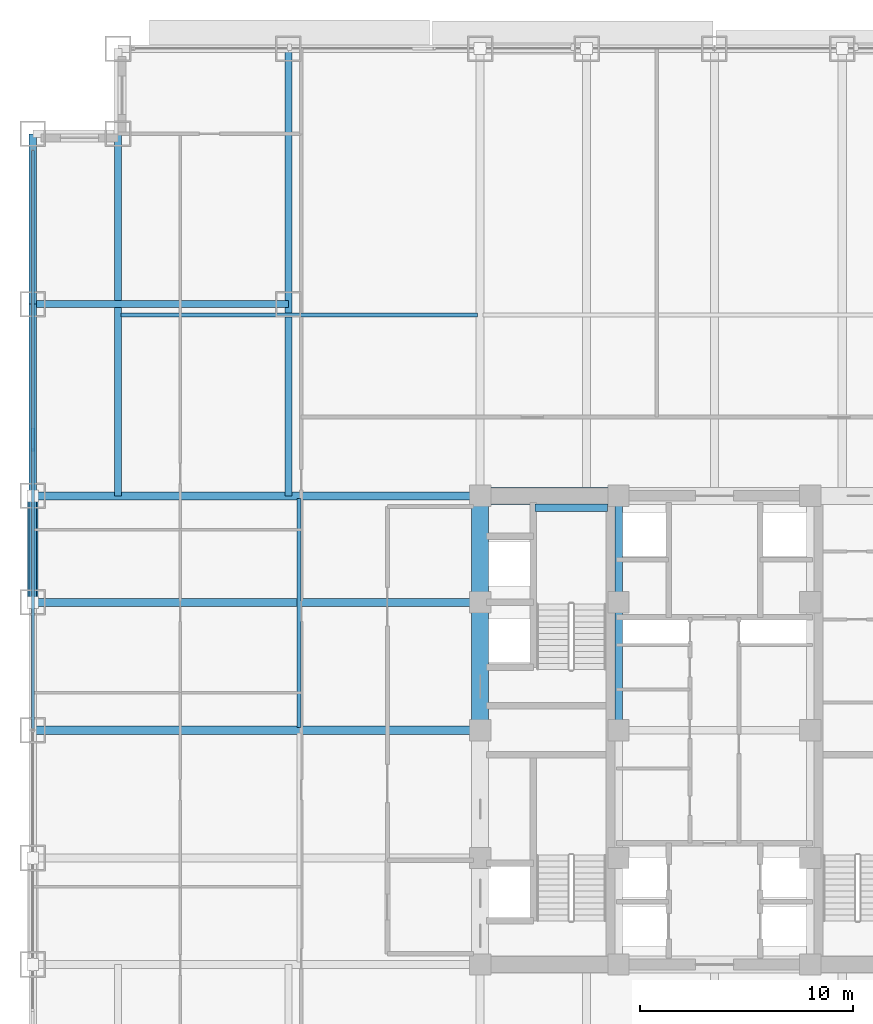
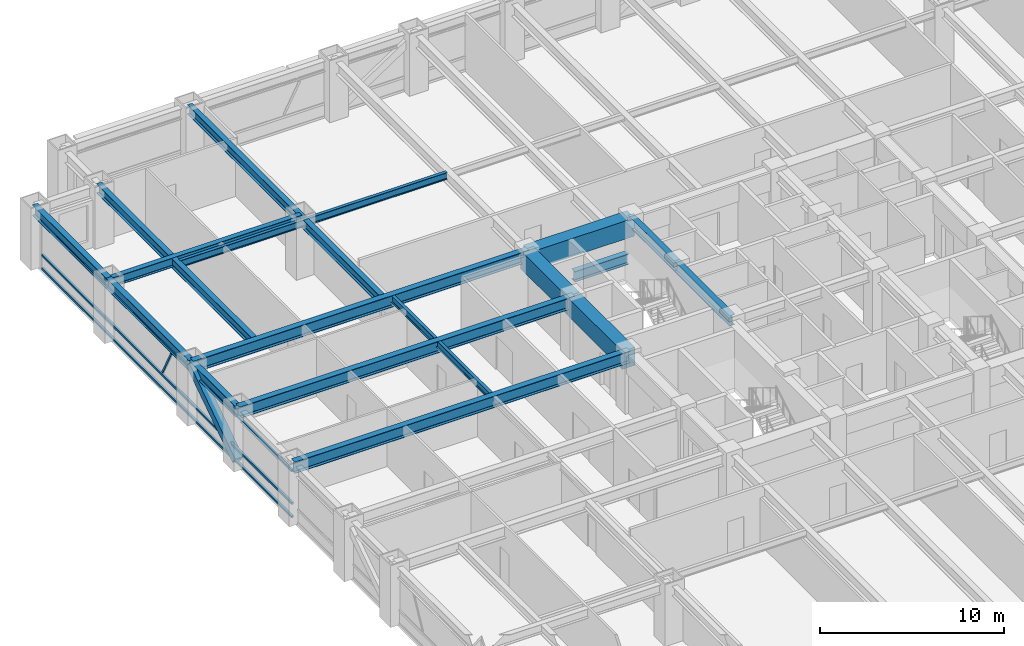
# One storey, part 9 of 32: 17 beams, 5 members, 1 element without a shape of its own.
"""IFC4 building model written with IfcOpenShell, lengths in metres."""

from ifc_helpers import new_model, si_unit, direction, frame, origin, origin_2d, place, context, subcontext, project, spatial, rectangle, hollow_rectangle, i_section, extrude, source, transform, mapped, material, material_profile, profile_set, type_object, element, aggregate, save


model = new_model("IFC4")

# Units and contexts
model_context = context("Model", 3, precision=1e-05, world=origin(), true_north=direction((0.0, 1.0)))
body_context = subcontext(model_context, "Body", "Model", "MODEL_VIEW")
ifc_project = project(units=[si_unit("LENGTHUNIT", "METRE"), si_unit("AREAUNIT", "SQUARE_METRE"), si_unit("VOLUMEUNIT", "CUBIC_METRE"), si_unit("PLANEANGLEUNIT", "RADIAN"), si_unit("MASSUNIT", "GRAM", prefix="KILO")], contexts=[model_context])

# Site, building, storey
site_placement = place(None, origin())
site = spatial("IfcSite", under=ifc_project, at=site_placement, CompositionType="ELEMENT")
building_placement = place(site_placement, origin())
building = spatial("IfcBuilding", under=site, at=building_placement, Name="Khorayat Bourse Tower", CompositionType="ELEMENT")
storey_placement = place(building_placement, frame((0.0, 0.0, 136.5)))
storey = spatial("IfcBuildingStorey", under=building, at=storey_placement, Name="L31", CompositionType="ELEMENT", Elevation=136.5)

# Beams
ifc_material_1 = material(Name="Concrete C72/90", Category="concrete")
ifc_material_profile_1 = material_profile(ifc_material_1, rectangle(XDim=0.800048828125, YDim=1.199951171875, at=origin_2d()), Name="RC 800x1200")
ifc_profile_set_1 = profile_set([ifc_material_profile_1], Name="Concrete C72/90")
beam_type_1 = type_object("IfcBeamType", Name="BM-COUP-1200", PredefinedType="BEAM", material=ifc_profile_set_1)
shared_shape_1 = source(origin(), body_context, "Body", "SweptSolid", [
    extrude(rectangle(XDim=0.800048828125, YDim=1.199951171875, at=origin_2d()), origin(), (0.0, 0.0, 1.0), 5.0),
])
beam_1_placement = place(storey_placement, frame((-11.0, 6.0, 3.239990234375), z_axis=(0.0, 1.0, 0.0), x_axis=(-1.0, 0.0, 0.0)))
element("IfcBeam", 1, at=beam_1_placement, inside=storey, type_object=beam_type_1, Name="L31 BM-COUP-1200 BM-L31-CRX-04", PredefinedType="BEAM", context=body_context, shape_type="MappedRepresentation", body=[
    mapped(shared_shape_1, transform((0.0, 0.0, 0.0), scale=1.0)),
])
shared_shape_2 = source(origin(), body_context, "Body", "SweptSolid", [
    extrude(rectangle(XDim=0.800048828125, YDim=1.199951171875, at=origin_2d()), origin(), (0.0, 0.0, 1.0), 6.0),
])
beam_2_placement = place(storey_placement, frame((-11.0, 0.0, 3.239990234375), z_axis=(0.0, 1.0, 0.0), x_axis=(-1.0, 0.0, 0.0)))
element("IfcBeam", 2, at=beam_2_placement, inside=storey, type_object=beam_type_1, Name="L31 BM-COUP-1200 BM-L31-CRX-03", PredefinedType="BEAM", context=body_context, shape_type="MappedRepresentation", body=[
    mapped(shared_shape_2, transform((0.0, 0.0, 0.0), scale=1.0)),
])
ifc_material_2 = material(Name="Steel ASTM A992 Grade 50", Category="steel")
ifc_material_profile_2 = material_profile(ifc_material_2, i_section(OverallWidth=0.35498046875, OverallDepth=0.695068359375, WebThickness=0.015380859375, FlangeThickness=0.02490234375, FilletRadius=0.01806640625, at=origin_2d()), Name="W690X217")
ifc_profile_set_2 = profile_set([ifc_material_profile_2], Name="Steel ASTM A992 Grade 50")
beam_type_2 = type_object("IfcBeamType", Name="BM-GIRD-690", PredefinedType="BEAM", material=ifc_profile_set_2)
shared_shape_3 = source(origin(), body_context, "Body", "SweptSolid", [
    extrude(i_section(OverallWidth=0.35498046875, OverallDepth=0.695068359375, WebThickness=0.015380859375, FlangeThickness=0.02490234375, FilletRadius=0.01806640625, at=origin_2d()), origin(), (0.0, 0.0, 1.0), 5.0),
])
beam_3_placement = place(storey_placement, frame((-4.5, 6.0, 3.492431640625), z_axis=(0.0, 1.0, 0.0), x_axis=(-1.0, 0.0, 0.0)))
element("IfcBeam", 3, at=beam_3_placement, inside=storey, type_object=beam_type_2, Name="L31 BM-GIRD-690 BM-L31-CRX-08", PredefinedType="BEAM", context=body_context, shape_type="MappedRepresentation", body=[
    mapped(shared_shape_3, transform((0.0, 0.0, 0.0), scale=1.0)),
])
shared_shape_4 = source(origin(), body_context, "Body", "SweptSolid", [
    extrude(i_section(OverallWidth=0.35498046875, OverallDepth=0.695068359375, WebThickness=0.015380859375, FlangeThickness=0.02490234375, FilletRadius=0.01806640625, at=origin_2d()), origin(), (0.0, 0.0, 1.0), 6.0),
])
beam_4_placement = place(storey_placement, frame((-4.5, 0.0, 3.492431640625), z_axis=(0.0, 1.0, 0.0), x_axis=(-1.0, 0.0, 0.0)))
element("IfcBeam", 4, at=beam_4_placement, inside=storey, type_object=beam_type_2, Name="L31 BM-GIRD-690 BM-L31-CRX-07", PredefinedType="BEAM", context=body_context, shape_type="MappedRepresentation", body=[
    mapped(shared_shape_4, transform((0.0, 0.0, 0.0), scale=1.0)),
])
shared_shape_5 = source(origin(), body_context, "Body", "SweptSolid", [
    extrude(rectangle(XDim=0.800048828125, YDim=1.199951171875, at=origin_2d()), origin(), (0.0, 0.0, 1.0), 6.5),
])
beam_5_placement = place(storey_placement, frame((-11.0, 11.0, 3.239990234375), z_axis=(1.0, 0.0, 0.0), x_axis=(0.0, 1.0, 0.0)))
element("IfcBeam", 5, at=beam_5_placement, inside=storey, type_object=beam_type_1, Name="L31 BM-COUP-1200 BM-L31-CRY-20", PredefinedType="BEAM", context=body_context, shape_type="MappedRepresentation", body=[
    mapped(shared_shape_5, transform((0.0, 0.0, 0.0), scale=1.0)),
])
shared_shape_6 = source(origin(), body_context, "Body", "SweptSolid", [
    extrude(i_section(OverallWidth=0.35498046875, OverallDepth=0.695068359375, WebThickness=0.015380859375, FlangeThickness=0.02490234375, FilletRadius=0.01806640625, at=origin_2d()), origin(), (0.0, 0.0, 1.0), 3.39990234375),
])
beam_6_placement = place(storey_placement, frame((-8.419921875, 10.449951171875, 1.50244140625), z_axis=(1.0, 0.0, 0.0), x_axis=(0.0, 1.0, 0.0)))
element("IfcBeam", 6, at=beam_6_placement, inside=storey, type_object=beam_type_2, Name="L31 BM-GIRD-690 BM-L31-ST2L", PredefinedType="BEAM", context=body_context, shape_type="MappedRepresentation", body=[
    mapped(shared_shape_6, transform((0.0, 0.0, 0.0), scale=1.0)),
])
ifc_material_profile_3 = material_profile(ifc_material_2, i_section(OverallWidth=0.35498046875, OverallDepth=0.695068359375, WebThickness=0.015380859375, FlangeThickness=0.02490234375, FilletRadius=0.01806640625, at=origin_2d()), Name="W690X217")
ifc_profile_set_3 = profile_set([ifc_material_profile_3], Name="Steel ASTM A992 Grade 50")
beam_type_3 = type_object("IfcBeamType", Name="BM-SPAN-690", PredefinedType="SPANDREL", material=ifc_profile_set_3)
shared_shape_7 = source(origin(), body_context, "Body", "SweptSolid", [
    extrude(i_section(OverallWidth=0.35498046875, OverallDepth=0.695068359375, WebThickness=0.015380859375, FlangeThickness=0.02490234375, FilletRadius=0.01806640625, at=origin_2d()), origin(), (0.0, 0.0, 1.0), 9.0),
])
beam_7_placement = place(storey_placement, frame((-32.0, 11.0, 3.492431640625), z_axis=(0.0, 1.0, 0.0), x_axis=(-1.0, 0.0, 0.0)))
element("IfcBeam", 7, at=beam_7_placement, inside=storey, type_object=beam_type_3, Name="L31 BM-SPAN-690 BM-L31-SPN-055", PredefinedType="SPANDREL", context=body_context, shape_type="MappedRepresentation", body=[
    mapped(shared_shape_7, transform((0.0, 0.0, 0.0), scale=1.0)),
])
shared_shape_8 = source(origin(), body_context, "Body", "SweptSolid", [
    extrude(i_section(OverallWidth=0.35498046875, OverallDepth=0.695068359375, WebThickness=0.015380859375, FlangeThickness=0.02490234375, FilletRadius=0.01806640625, at=origin_2d()), origin(), (0.0, 0.0, 1.0), 5.0),
])
beam_8_placement = place(storey_placement, frame((-32.0, 6.0, 3.492431640625), z_axis=(0.0, 1.0, 0.0), x_axis=(-1.0, 0.0, 0.0)))
element("IfcBeam", 8, at=beam_8_placement, inside=storey, type_object=beam_type_3, Name="L31 BM-SPAN-690 BM-L31-SPN-056", PredefinedType="SPANDREL", context=body_context, shape_type="MappedRepresentation", body=[
    mapped(shared_shape_8, transform((0.0, 0.0, 0.0), scale=1.0)),
])
ifc_material_profile_4 = material_profile(ifc_material_2, i_section(OverallWidth=0.324951171875, OverallDepth=0.615966796875, WebThickness=0.013916015625, FlangeThickness=0.021484375, FilletRadius=0.01611328125, at=origin_2d()), Name="W610X174")
ifc_profile_set_4 = profile_set([ifc_material_profile_4], Name="Steel ASTM A992 Grade 50")
beam_type_4 = type_object("IfcBeamType", Name="BM-GIRD-610", PredefinedType="BEAM", material=ifc_profile_set_4)
shared_shape_9 = source(origin(), body_context, "Body", "SweptSolid", [
    extrude(i_section(OverallWidth=0.324951171875, OverallDepth=0.615966796875, WebThickness=0.013916015625, FlangeThickness=0.021484375, FilletRadius=0.01611328125, at=origin_2d()), origin(), (0.0, 0.0, 1.0), 21.0),
])
beam_9_placement = place(storey_placement, frame((-20.0, 11.0, 3.531982421875), z_axis=(0.0, 1.0, 0.0), x_axis=(-1.0, 0.0, 0.0)))
element("IfcBeam", 9, at=beam_9_placement, inside=storey, type_object=beam_type_4, Name="L31 BM-GIRD-610 BM-L31-CNRY-085", PredefinedType="BEAM", context=body_context, shape_type="MappedRepresentation", body=[
    mapped(shared_shape_9, transform((0.0, 0.0, 0.0), scale=1.0)),
])
shared_shape_10 = source(origin(), body_context, "Body", "SweptSolid", [
    extrude(i_section(OverallWidth=0.324951171875, OverallDepth=0.615966796875, WebThickness=0.013916015625, FlangeThickness=0.021484375, FilletRadius=0.01611328125, at=origin_2d()), origin(), (0.0, 0.0, 1.0), 12.0),
])
beam_10_placement = place(storey_placement, frame((-32.0, 20.0, 3.531982421875), z_axis=(1.0, 0.0, 0.0), x_axis=(0.0, 1.0, 0.0)))
element("IfcBeam", 10, at=beam_10_placement, inside=storey, type_object=beam_type_4, Name="L31 BM-GIRD-610 BM-L31-CNRX-095", PredefinedType="BEAM", context=body_context, shape_type="MappedRepresentation", body=[
    mapped(shared_shape_10, transform((0.0, 0.0, 0.0), scale=1.0)),
])
ifc_material_profile_5 = material_profile(ifc_material_2, i_section(OverallWidth=0.194091796875, OverallDepth=0.468994140625, WebThickness=0.0126953125, FlangeThickness=0.0205078125, FilletRadius=0.012939453125, at=origin_2d()), Name="W460X106")
ifc_profile_set_5 = profile_set([ifc_material_profile_5], Name="Steel ASTM A992 Grade 50")
beam_type_5 = type_object("IfcBeamType", Name="BM-JOIST-460", PredefinedType="JOIST", material=ifc_profile_set_5)
shared_shape_11 = source(origin(), body_context, "Body", "SweptSolid", [
    extrude(i_section(OverallWidth=0.194091796875, OverallDepth=0.468994140625, WebThickness=0.0126953125, FlangeThickness=0.0205078125, FilletRadius=0.012939453125, at=origin_2d()), origin(), (0.0, 0.0, 1.0), 10.740234375),
])
beam_11_placement = place(storey_placement, frame((-19.5, 0.1298828125, 3.60546875), z_axis=(0.0, 1.0, 0.0), x_axis=(-1.0, 0.0, 0.0)))
element("IfcBeam", 11, at=beam_11_placement, inside=storey, type_object=beam_type_5, Name="L31 BM-JOIST-460 BM-L31-JSTY-103", PredefinedType="JOIST", context=body_context, shape_type="MappedRepresentation", body=[
    mapped(shared_shape_11, transform((0.0, 0.0, 0.0), scale=1.0)),
])
shared_shape_12 = source(origin(), body_context, "Body", "SweptSolid", [
    extrude(i_section(OverallWidth=0.35498046875, OverallDepth=0.695068359375, WebThickness=0.015380859375, FlangeThickness=0.02490234375, FilletRadius=0.01806640625, at=origin_2d()), origin(), (0.0, 0.0, 1.0), 8.0),
])
beam_12_placement = place(storey_placement, frame((-32.0, 20.0, 3.492431640625), z_axis=(0.0, 1.0, 0.0), x_axis=(-1.0, 0.0, 0.0)))
element("IfcBeam", 12, at=beam_12_placement, inside=storey, type_object=beam_type_3, Name="L31 BM-SPAN-690 BM-L31-SPN-054", PredefinedType="SPANDREL", context=body_context, shape_type="MappedRepresentation", body=[
    mapped(shared_shape_12, transform((0.0, 0.0, 0.0), scale=1.0)),
])
ifc_material_profile_6 = material_profile(ifc_material_2, i_section(OverallWidth=0.381103515625, OverallDepth=0.77294921875, WebThickness=0.0166015625, FlangeThickness=0.027587890625, FilletRadius=0.01806640625, at=origin_2d()), Name="W760X257")
ifc_profile_set_6 = profile_set([ifc_material_profile_6], Name="Steel ASTM A992 Grade 50")
beam_type_6 = type_object("IfcBeamType", Name="BM-GIRD-760", PredefinedType="BEAM", material=ifc_profile_set_6)
shared_shape_13 = source(origin(), body_context, "Body", "SweptSolid", [
    extrude(i_section(OverallWidth=0.381103515625, OverallDepth=0.77294921875, WebThickness=0.0166015625, FlangeThickness=0.027587890625, FilletRadius=0.01806640625, at=origin_2d()), origin(), (0.0, 0.0, 1.0), 21.0),
])
for number, where, z_axis, x_axis, name in (
    (13, (-32.0, 0.0, 3.45361328125), (1.0, 0.0, 0.0), (0.0, 1.0, 0.0), "L31 BM-GIRD-760 BM-L31-RADX-079"),
    (14, (-32.0, 6.0, 3.45361328125), (1.0, 0.0, 0.0), (0.0, 1.0, 0.0), "L31 BM-GIRD-760 BM-L31-RADX-081"),
    (15, (-32.0, 11.0, 3.45361328125), (1.0, 0.0, 0.0), (0.0, 1.0, 0.0), "L31 BM-GIRD-760 BM-L31-RADX-083"),
):
    element("IfcBeam", number, at=place(storey_placement, frame(where, z_axis=z_axis, x_axis=x_axis)), inside=storey, type_object=beam_type_6, Name=name, PredefinedType="BEAM", context=body_context, shape_type="MappedRepresentation", body=[
        mapped(shared_shape_13, transform((0.0, 0.0, 0.0), scale=1.0)),
    ])
shared_shape_14 = source(origin(), body_context, "Body", "SweptSolid", [
    extrude(i_section(OverallWidth=0.324951171875, OverallDepth=0.615966796875, WebThickness=0.013916015625, FlangeThickness=0.021484375, FilletRadius=0.01611328125, at=origin_2d()), origin(), (0.0, 0.0, 1.0), 17.0),
])
beam_13_placement = place(storey_placement, frame((-28.0, 11.0, 3.531982421875), z_axis=(0.0, 1.0, 0.0), x_axis=(-1.0, 0.0, 0.0)))
element("IfcBeam", 16, at=beam_13_placement, inside=storey, type_object=beam_type_4, Name="L31 BM-GIRD-610 BM-L31-CNRY-089", PredefinedType="BEAM", context=body_context, shape_type="MappedRepresentation", body=[
    mapped(shared_shape_14, transform((0.0, 0.0, 0.0), scale=1.0)),
])
shared_shape_15 = source(origin(), body_context, "Body", "SweptSolid", [
    extrude(i_section(OverallWidth=0.194091796875, OverallDepth=0.468994140625, WebThickness=0.0126953125, FlangeThickness=0.0205078125, FilletRadius=0.012939453125, at=origin_2d()), origin(), (0.0, 0.0, 1.0), 16.740234375),
])
beam_14_placement = place(storey_placement, frame((-27.8701171875, 19.5, 3.60546875), z_axis=(1.0, 0.0, 0.0), x_axis=(0.0, 1.0, 0.0)))
element("IfcBeam", 17, at=beam_14_placement, inside=storey, type_object=beam_type_5, Name="L31 BM-JOIST-460 BM-L31-JSTX-099", PredefinedType="JOIST", context=body_context, shape_type="MappedRepresentation", body=[
    mapped(shared_shape_15, transform((0.0, 0.0, 0.0), scale=1.0)),
])

# Member
ifc_material_3 = material(Name="Steel EN 10025-4 S460M", Category="steel")
ifc_material_profile_7 = material_profile(ifc_material_3, hollow_rectangle(XDim=0.5, YDim=0.5, WallThickness=0.028076171875, at=origin_2d()), Name="HSS 500x500x28")
ifc_profile_set_7 = profile_set([ifc_material_profile_7], Name="Steel EN 10025-4 S460M")
member_type_1 = type_object("IfcMemberType", Name="MBR-TUBE-500", PredefinedType="BRACE", material=ifc_profile_set_7)
shared_shape_16 = source(origin(), body_context, "Body", "SweptSolid", [
    extrude(hollow_rectangle(XDim=0.5, YDim=0.5, WallThickness=0.028076171875, at=origin_2d()), origin(), (0.0, 0.0, 1.0), 6.012939453125),
])
member_1_placement = place(storey_placement, frame((-32.0, 6.0, 0.25), z_axis=(0.0, 0.831531473026, 0.555477640745), x_axis=(-1.0, 0.0, 0.0)))
element("IfcMember", 18, at=member_1_placement, inside=storey, type_object=member_type_1, Name="L31 Perimeter Tube Brace 06", PredefinedType="BRACE", context=body_context, shape_type="MappedRepresentation", body=[
    mapped(shared_shape_16, transform((0.0, 0.0, 0.0), scale=1.0)),
])

# Curtain wall, members
ifc_material_4 = material(Name="Aluminium EN AW-6063 T6", Category="aluminium")
curtain_wall_type = type_object("IfcCurtainWallType", Name="CW-SYS-02", PredefinedType="NOTDEFINED", material=ifc_material_4)
curtain_wall_placement = place(storey_placement, origin())
curtain_wall = element("IfcCurtainWall", 19, at=curtain_wall_placement, inside=storey, type_object=curtain_wall_type, Name="L31 Curtain Wall CW-L31-W1", PredefinedType="NOTDEFINED")
ifc_material_profile_8 = material_profile(ifc_material_4, hollow_rectangle(XDim=0.139892578125, YDim=0.139892578125, WallThickness=0.006103515625, at=origin_2d()), Name="ALU 140x140x6")
ifc_profile_set_8 = profile_set([ifc_material_profile_8], Name="Aluminium EN AW-6063 T6")
member_type_2 = type_object("IfcMemberType", Name="CWT-HORZ-140", PredefinedType="USERDEFINED", material=ifc_profile_set_8)
shared_shape_17 = source(origin(), body_context, "Body", "SweptSolid", [
    extrude(hollow_rectangle(XDim=0.139892578125, YDim=0.139892578125, WallThickness=0.006103515625, at=origin_2d()), origin(), (0.0, 0.0, 1.0), 27.139892578125),
])
member_2_placement = place(storey_placement, frame((-32.0, 0.070068359375, 0.070068359375), z_axis=(0.0, 1.0, 0.0), x_axis=(-1.0, 0.0, 0.0)))
member_2 = element("IfcMember", 20, at=member_2_placement, type_object=member_type_2, Name="CW-L31-W1 Horizontal Transom 2-1", ObjectType="TRANSOM", PredefinedType="USERDEFINED", context=body_context, shape_type="MappedRepresentation", body=[
    mapped(shared_shape_17, transform((0.0, 0.0, 0.0), scale=1.0)),
])
member_3_placement = place(storey_placement, frame((-32.0, 0.070068359375, 0.949951171875), z_axis=(0.0, 1.0, 0.0), x_axis=(-1.0, 0.0, 0.0)))
member_3 = element("IfcMember", 21, at=member_3_placement, type_object=member_type_2, Name="CW-L31-W1 Horizontal Transom 2-2", ObjectType="TRANSOM", PredefinedType="USERDEFINED", context=body_context, shape_type="MappedRepresentation", body=[
    mapped(shared_shape_17, transform((0.0, 0.0, 0.0), scale=1.0)),
])
member_4_placement = place(storey_placement, frame((-32.0, 0.070068359375, 3.1201171875), z_axis=(0.0, 1.0, 0.0), x_axis=(-1.0, 0.0, 0.0)))
member_4 = element("IfcMember", 22, at=member_4_placement, type_object=member_type_2, Name="CW-L31-W1 Horizontal Transom 2-3", ObjectType="TRANSOM", PredefinedType="USERDEFINED", context=body_context, shape_type="MappedRepresentation", body=[
    mapped(shared_shape_17, transform((0.0, 0.0, 0.0), scale=1.0)),
])
ifc_material_profile_9 = material_profile(ifc_material_4, hollow_rectangle(XDim=0.1201171875, YDim=0.1201171875, WallThickness=0.0048828125, at=origin_2d()), Name="ALU 120x120x5")
ifc_profile_set_9 = profile_set([ifc_material_profile_9], Name="Aluminium EN AW-6063 T6")
member_type_3 = type_object("IfcMemberType", Name="CWM-DIAG-120", PredefinedType="MULLION", material=ifc_profile_set_9)
shared_shape_18 = source(origin(), body_context, "Body", "SweptSolid", [
    extrude(hollow_rectangle(XDim=0.1201171875, YDim=0.1201171875, WallThickness=0.0048828125, at=origin_2d()), origin(), (0.0, 0.0, 1.0), 2.113037109375),
])
member_5_placement = place(storey_placement, frame((-32.0, 14.132080078125, 1.10009765625), z_axis=(0.0, -0.465741670874, 0.884920728659), x_axis=(1.0, 0.0, 0.0)))
member_5 = element("IfcMember", 23, at=member_5_placement, type_object=member_type_3, Name="CW-L31-W1 Faceted Diagonal Mullion 2", PredefinedType="MULLION", context=body_context, shape_type="MappedRepresentation", body=[
    mapped(shared_shape_18, transform((0.0, 0.0, 0.0), scale=1.0)),
])
aggregate(curtain_wall, [member_2, member_3, member_4, member_5])

save(model, "model.ifc")
